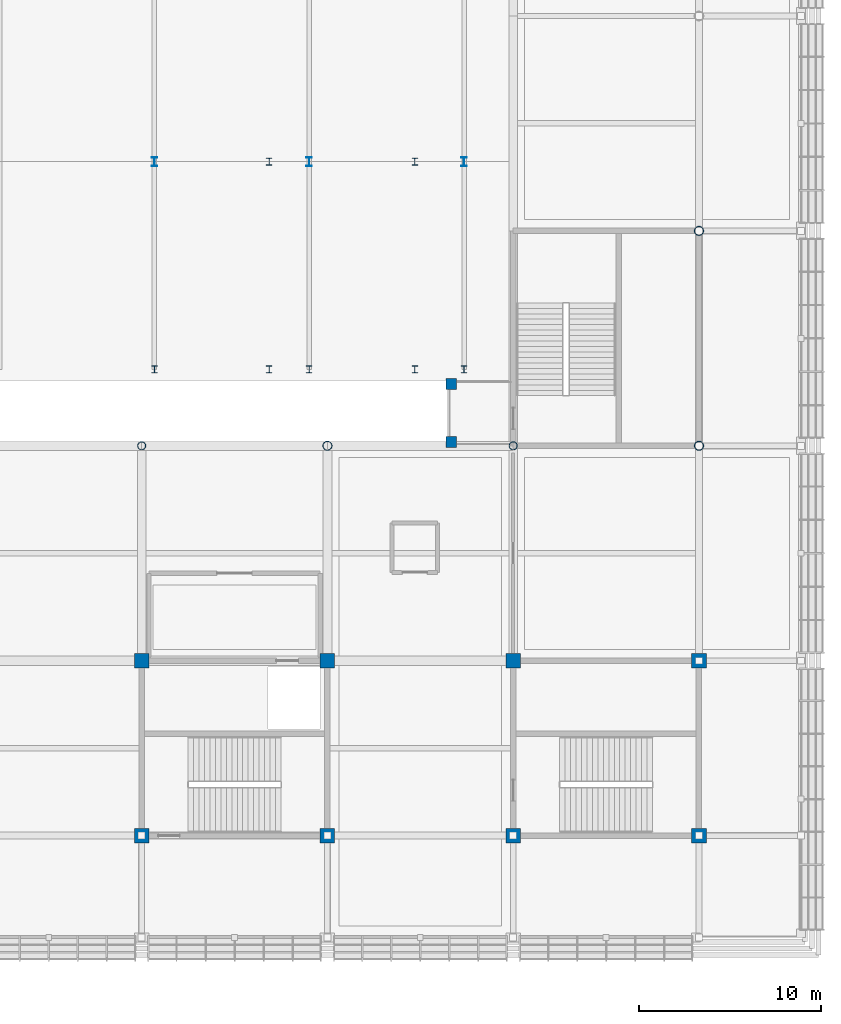
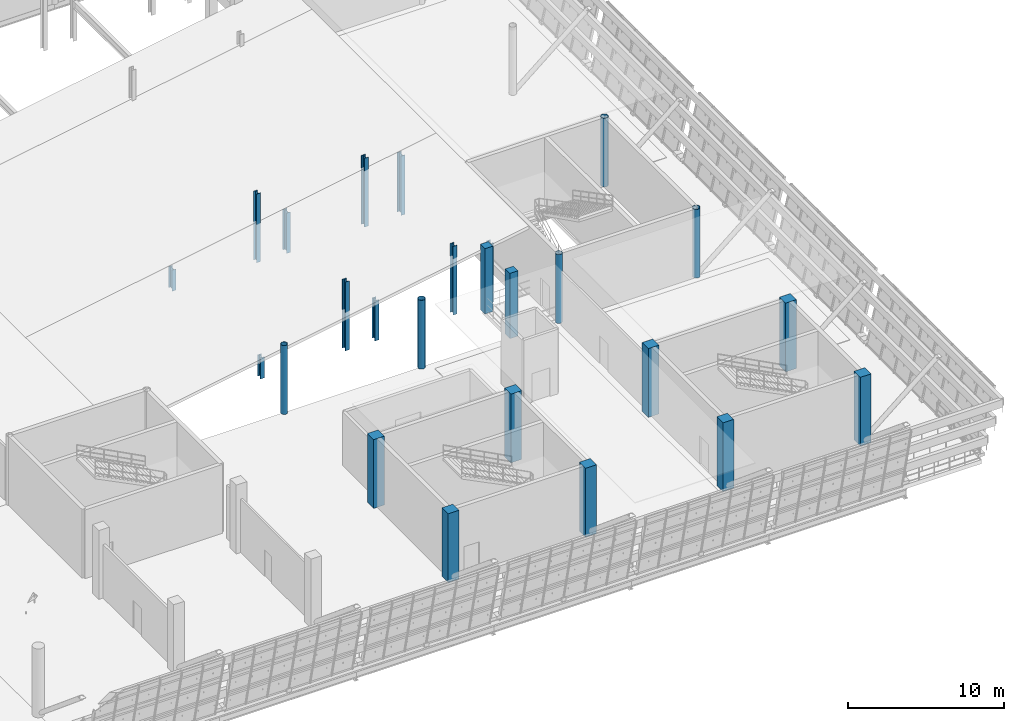
# One storey, part 12 of 175: 25 columns.
"""IFC4 building model written with IfcOpenShell, lengths in metres."""

from ifc_helpers import new_model, si_unit, direction, frame, origin, origin_2d, place, context, subcontext, project, spatial, rectangle, hollow_circle, i_section, extrude, material, material_profile, profile_set, type_object, element, save


model = new_model("IFC4")

# Units and contexts
model_context = context("Model", 3, precision=1e-05, world=origin(), true_north=direction((0.0, 1.0)))
body_context = subcontext(model_context, "Body", "Model", "MODEL_VIEW")
ifc_project = project(units=[si_unit("LENGTHUNIT", "METRE"), si_unit("AREAUNIT", "SQUARE_METRE"), si_unit("VOLUMEUNIT", "CUBIC_METRE"), si_unit("PLANEANGLEUNIT", "RADIAN"), si_unit("MASSUNIT", "GRAM", prefix="KILO")], contexts=[model_context])

# Site, building, storey
site_placement = place(None, origin())
site = spatial("IfcSite", under=ifc_project, at=site_placement, CompositionType="ELEMENT")
building_placement = place(site_placement, origin())
building = spatial("IfcBuilding", under=site, at=building_placement, Name="Brelvane Convention Centre", CompositionType="ELEMENT")
storey_placement = place(building_placement, frame((0.0, 0.0, 5.39990234375)))
storey = spatial("IfcBuildingStorey", under=building, at=storey_placement, Name="L01", CompositionType="ELEMENT", Elevation=5.39990234375)

# Columns
ifc_material_1 = material(Name="Concrete M50", Category="concrete")
ifc_material_profile_1 = material_profile(ifc_material_1, rectangle(XDim=0.60009765625, YDim=0.60009765625, at=origin_2d()), Name="RC 600x600")
ifc_profile_set_1 = profile_set([ifc_material_profile_1], Name="Concrete M50")
column_type_1 = type_object("IfcColumnType", Name="RC Column C-RC4 (RC 600x600)", PredefinedType="COLUMN", material=ifc_profile_set_1)
for number, where, z_axis, x_axis, name in (
    (1, (210.800048828125, 40.800048828125, 0.0), (0.0, 0.0, 1.0), (1.0, 0.0, 0.0), "Plenary Gallery L01 Column 1"),
    (2, (210.800048828125, 44.0, 0.0), (0.0, 0.0, 1.0), (1.0, 0.0, 0.0), "Plenary Gallery L01 Column 2"),
):
    element("IfcColumn", number, at=place(storey_placement, frame(where, z_axis=z_axis, x_axis=x_axis)), inside=storey, type_object=column_type_1, Name=name, PredefinedType="COLUMN", context=body_context, shape_type="SweptSolid", body=[
        extrude(rectangle(XDim=0.60009765625, YDim=0.60009765625, at=origin_2d()), origin(), (0.0, 0.0, 1.0), 5.1201171875),
    ])
ifc_material_2 = material(Name="Concrete M50", Category="concrete")
ifc_material_profile_2 = material_profile(ifc_material_2, rectangle(XDim=0.800048828125, YDim=0.800048828125, at=origin_2d()), Name="RC 800x800")
ifc_profile_set_2 = profile_set([ifc_material_profile_2], Name="Concrete M50")
column_type_2 = type_object("IfcColumnType", Name="RC Column C-RC9 (RC 800x800)", PredefinedType="COLUMN", material=ifc_profile_set_2)
for number, where, z_axis, x_axis, name in (
    (3, (193.800048828125, 19.199951171875, 0.0), (0.0, 0.0, 1.0), (1.0, 0.0, 0.0), "Column 20-C (L01)"),
    (4, (193.800048828125, 28.800048828125, 0.0), (0.0, 0.0, 1.0), (1.0, 0.0, 0.0), "Column 20-D (L01)"),
    (5, (204.0, 19.199951171875, 0.0), (0.0, 0.0, 1.0), (1.0, 0.0, 0.0), "Column 21-C (L01)"),
    (6, (204.0, 28.800048828125, 0.0), (0.0, 0.0, 1.0), (1.0, 0.0, 0.0), "Column 21-D (L01)"),
    (7, (214.199951171875, 19.199951171875, 0.0), (0.0, 0.0, 1.0), (1.0, 0.0, 0.0), "Column 22-C (L01)"),
    (8, (214.199951171875, 28.800048828125, 0.0), (0.0, 0.0, 1.0), (1.0, 0.0, 0.0), "Column 22-D (L01)"),
    (9, (224.39990234375, 19.199951171875, 0.0), (0.0, 0.0, 1.0), (1.0, 0.0, 0.0), "Column 23-C (L01)"),
    (10, (224.39990234375, 28.800048828125, 0.0), (0.0, 0.0, 1.0), (1.0, 0.0, 0.0), "Column 23-D (L01)"),
):
    element("IfcColumn", number, at=place(storey_placement, frame(where, z_axis=z_axis, x_axis=x_axis)), inside=storey, type_object=column_type_2, Name=name, PredefinedType="COLUMN", context=body_context, shape_type="SweptSolid", body=[
        extrude(rectangle(XDim=0.800048828125, YDim=0.800048828125, at=origin_2d()), origin(), (0.0, 0.0, 1.0), 5.400146484375),
    ])
ifc_material_3 = material(Name="Steel E450 (450 MPa)", Category="steel")
ifc_material_profile_3 = material_profile(ifc_material_3, hollow_circle(Radius=0.25390625, WallThickness=0.02001953125, at=origin_2d()), Name="CHS 508.0x20.0")
ifc_profile_set_3 = profile_set([ifc_material_profile_3], Name="Steel E450 (450 MPa)")
column_type_3 = type_object("IfcColumnType", Name="Steel Column C-ST2 (CHS 508.0x20.0)", PredefinedType="COLUMN", material=ifc_profile_set_3)
for number, where, z_axis, x_axis, name in (
    (11, (204.0, 40.60009765625, 0.0), (0.0, 0.0, 1.0), (1.0, 0.0, 0.0), "Column 21-E (L01)"),
    (12, (224.39990234375, 40.60009765625, 0.0), (0.0, 0.0, 1.0), (1.0, 0.0, 0.0), "Column 23-E (L01)"),
    (13, (224.39990234375, 52.39990234375, 0.0), (0.0, 0.0, 1.0), (1.0, 0.0, 0.0), "Column 23-F (L01)"),
):
    element("IfcColumn", number, at=place(storey_placement, frame(where, z_axis=z_axis, x_axis=x_axis)), inside=storey, type_object=column_type_3, Name=name, PredefinedType="COLUMN", context=body_context, shape_type="SweptSolid", body=[
        extrude(hollow_circle(Radius=0.25390625, WallThickness=0.02001953125, at=origin_2d()), origin(), (0.0, 0.0, 1.0), 5.400146484375),
    ])
ifc_material_4 = material(Name="Steel E450 (450 MPa)", Category="steel")
ifc_material_profile_4 = material_profile(ifc_material_4, hollow_circle(Radius=0.228515625, WallThickness=0.02001953125, at=origin_2d()), Name="CHS 457.0x20.0")
ifc_profile_set_4 = profile_set([ifc_material_profile_4], Name="Steel E450 (450 MPa)")
column_type_4 = type_object("IfcColumnType", Name="Steel Column C-ST3 (CHS 457.0x20.0)", PredefinedType="COLUMN", material=ifc_profile_set_4)
for number, where, z_axis, x_axis, name in (
    (14, (193.800048828125, 40.60009765625, 0.0), (0.0, 0.0, 1.0), (1.0, 0.0, 0.0), "Column 20-E (L01)"),
    (15, (214.199951171875, 40.60009765625, 0.0), (0.0, 0.0, 1.0), (1.0, 0.0, 0.0), "Column 22-E (L01)"),
):
    element("IfcColumn", number, at=place(storey_placement, frame(where, z_axis=z_axis, x_axis=x_axis)), inside=storey, type_object=column_type_4, Name=name, PredefinedType="COLUMN", context=body_context, shape_type="SweptSolid", body=[
        extrude(hollow_circle(Radius=0.228515625, WallThickness=0.02001953125, at=origin_2d()), origin(), (0.0, 0.0, 1.0), 5.400146484375),
    ])
ifc_material_5 = material(Name="Steel E350 (350 MPa)", Category="steel")
ifc_material_profile_5 = material_profile(ifc_material_5, i_section(OverallWidth=0.300048828125, OverallDepth=0.5, WebThickness=0.014404296875, FlangeThickness=0.028076171875, FilletRadius=0.027099609375, at=origin_2d()), Name="WPB 500x300")
ifc_profile_set_5 = profile_set([ifc_material_profile_5], Name="Steel E350 (350 MPa)")
column_type_5 = type_object("IfcColumnType", Name="Steel Column C-ST6 (WPB 500x300)", PredefinedType="COLUMN", material=ifc_profile_set_5)
column_1_placement = place(storey_placement, frame((194.5, 56.199951171875, 0.0), z_axis=(0.0, 0.0, 1.0), x_axis=(1.0, 0.0, 0.0)))
element("IfcColumn", 16, at=column_1_placement, inside=storey, type_object=column_type_5, Name="Plenary Bowl Tier Column L01 L2-Y56", PredefinedType="COLUMN", context=body_context, shape_type="SweptSolid", body=[
    extrude(i_section(OverallWidth=0.300048828125, OverallDepth=0.5, WebThickness=0.014404296875, FlangeThickness=0.028076171875, FilletRadius=0.027099609375, at=origin_2d()), origin(), (0.0, 0.0, 1.0), 1.66015625),
])
column_2_placement = place(storey_placement, frame((203.0, 56.199951171875, 0.0), z_axis=(0.0, 0.0, 1.0), x_axis=(1.0, 0.0, 0.0)))
element("IfcColumn", 17, at=column_2_placement, inside=storey, type_object=column_type_5, Name="Plenary Bowl Tier Column L01 L3-Y56", PredefinedType="COLUMN", context=body_context, shape_type="SweptSolid", body=[
    extrude(i_section(OverallWidth=0.300048828125, OverallDepth=0.5, WebThickness=0.014404296875, FlangeThickness=0.028076171875, FilletRadius=0.027099609375, at=origin_2d()), origin(), (0.0, 0.0, 1.0), 3.16015625),
])
column_3_placement = place(storey_placement, frame((211.5, 56.199951171875, 0.0), z_axis=(0.0, 0.0, 1.0), x_axis=(1.0, 0.0, 0.0)))
element("IfcColumn", 18, at=column_3_placement, inside=storey, type_object=column_type_5, Name="Plenary Bowl Tier Column L01 L4-Y56", PredefinedType="COLUMN", context=body_context, shape_type="SweptSolid", body=[
    extrude(i_section(OverallWidth=0.300048828125, OverallDepth=0.5, WebThickness=0.014404296875, FlangeThickness=0.028076171875, FilletRadius=0.027099609375, at=origin_2d()), origin(), (0.0, 0.0, 1.0), 4.66015625),
])
ifc_material_6 = material(Name="Steel E350 (350 MPa)", Category="steel")
ifc_material_profile_6 = material_profile(ifc_material_6, i_section(OverallWidth=0.300048828125, OverallDepth=0.39990234375, WebThickness=0.013427734375, FlangeThickness=0.02392578125, FilletRadius=0.027099609375, at=origin_2d()), Name="WPB 400x300")
ifc_profile_set_6 = profile_set([ifc_material_profile_6], Name="Steel E350 (350 MPa)")
column_type_6 = type_object("IfcColumnType", Name="Steel Column C-ST7 (WPB 400x300)", PredefinedType="COLUMN", material=ifc_profile_set_6)
column_4_placement = place(storey_placement, frame((194.5, 44.800048828125, 0.0), z_axis=(0.0, 0.0, 1.0), x_axis=(1.0, 0.0, 0.0)))
element("IfcColumn", 19, at=column_4_placement, inside=storey, type_object=column_type_6, Name="Plenary Bowl Edge Column L01 L2-Y44", PredefinedType="COLUMN", context=body_context, shape_type="SweptSolid", body=[
    extrude(i_section(OverallWidth=0.300048828125, OverallDepth=0.39990234375, WebThickness=0.013427734375, FlangeThickness=0.02392578125, FilletRadius=0.027099609375, at=origin_2d()), origin(), (0.0, 0.0, 1.0), 1.66015625),
])
column_5_placement = place(storey_placement, frame((203.0, 44.800048828125, 0.0), z_axis=(0.0, 0.0, 1.0), x_axis=(1.0, 0.0, 0.0)))
element("IfcColumn", 20, at=column_5_placement, inside=storey, type_object=column_type_6, Name="Plenary Bowl Edge Column L01 L3-Y44", PredefinedType="COLUMN", context=body_context, shape_type="SweptSolid", body=[
    extrude(i_section(OverallWidth=0.300048828125, OverallDepth=0.39990234375, WebThickness=0.013427734375, FlangeThickness=0.02392578125, FilletRadius=0.027099609375, at=origin_2d()), origin(), (0.0, 0.0, 1.0), 3.16015625),
])
column_6_placement = place(storey_placement, frame((211.5, 44.800048828125, 0.0), z_axis=(0.0, 0.0, 1.0), x_axis=(1.0, 0.0, 0.0)))
element("IfcColumn", 21, at=column_6_placement, inside=storey, type_object=column_type_6, Name="Plenary Bowl Edge Column L01 L4-Y44", PredefinedType="COLUMN", context=body_context, shape_type="SweptSolid", body=[
    extrude(i_section(OverallWidth=0.300048828125, OverallDepth=0.39990234375, WebThickness=0.013427734375, FlangeThickness=0.02392578125, FilletRadius=0.027099609375, at=origin_2d()), origin(), (0.0, 0.0, 1.0), 4.66015625),
])
for number, where, z_axis, x_axis, name in (
    (22, (200.800048828125, 44.800048828125, 0.0), (0.0, 0.0, 1.0), (1.0, 0.0, 0.0), "Plenary Balcony Tier Column L01 U1-Y44"),
    (23, (200.800048828125, 56.199951171875, 0.0), (0.0, 0.0, 1.0), (1.0, 0.0, 0.0), "Plenary Balcony Tier Column L01 U1-Y56"),
    (24, (208.800048828125, 44.800048828125, 0.0), (0.0, 0.0, 1.0), (1.0, 0.0, 0.0), "Plenary Balcony Tier Column L01 U2-Y44"),
    (25, (208.800048828125, 56.199951171875, 0.0), (0.0, 0.0, 1.0), (1.0, 0.0, 0.0), "Plenary Balcony Tier Column L01 U2-Y56"),
):
    element("IfcColumn", number, at=place(storey_placement, frame(where, z_axis=z_axis, x_axis=x_axis)), inside=storey, type_object=column_type_6, Name=name, PredefinedType="COLUMN", context=body_context, shape_type="SweptSolid", body=[
        extrude(i_section(OverallWidth=0.300048828125, OverallDepth=0.39990234375, WebThickness=0.013427734375, FlangeThickness=0.02392578125, FilletRadius=0.027099609375, at=origin_2d()), origin(), (0.0, 0.0, 1.0), 5.400146484375),
    ])

save(model, "model.ifc")
